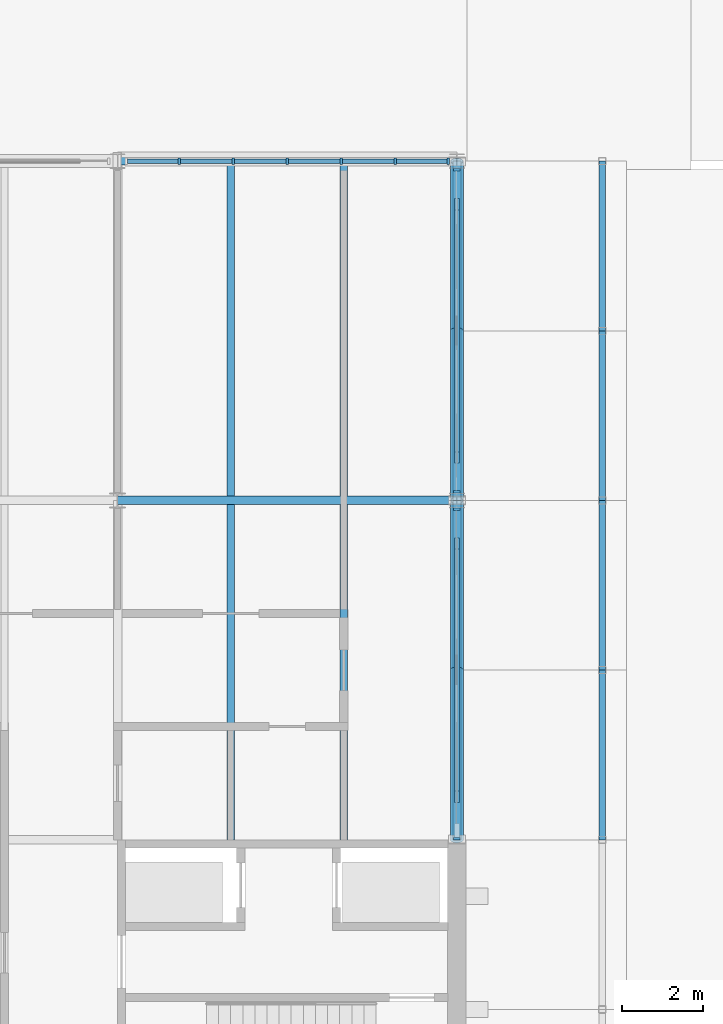
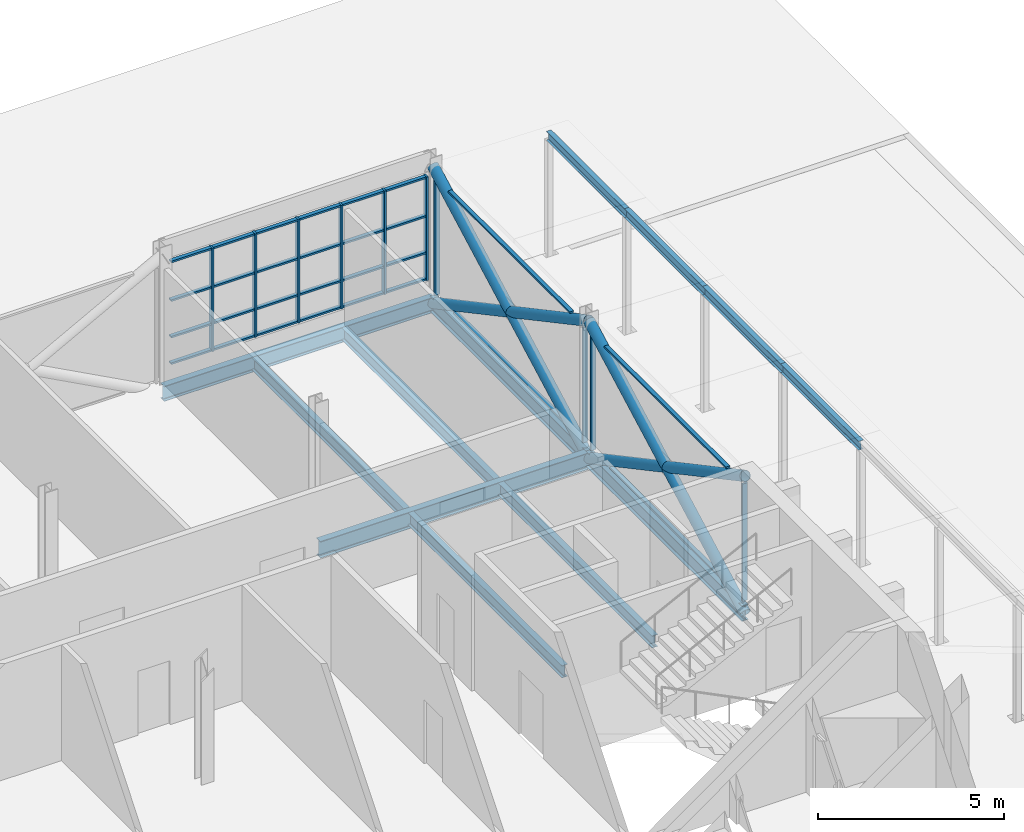
# One storey, part 66 of 116: 44 members, 12 beams, 3 elements without a shape of their own.
"""IFC4 building model written with IfcOpenShell, lengths in metres."""

from ifc_helpers import new_model, si_unit, direction, frame, origin, origin_2d, place, context, subcontext, project, spatial, rectangle, hollow_circle, i_section, extrude, material, layer, layer_set, material_profile, profile_set, type_object, element, aggregate, save


model = new_model("IFC4")

# Units and contexts
model_context = context("Model", 3, precision=1e-05, world=origin(), true_north=direction((0.0, 1.0)))
body_context = subcontext(model_context, "Body", "Model", "MODEL_VIEW")
ifc_project = project(units=[si_unit("LENGTHUNIT", "METRE"), si_unit("AREAUNIT", "SQUARE_METRE"), si_unit("VOLUMEUNIT", "CUBIC_METRE"), si_unit("PLANEANGLEUNIT", "RADIAN"), si_unit("MASSUNIT", "GRAM", prefix="KILO")], contexts=[model_context])

# Site, building, storey
site_placement = place(None, origin())
site = spatial("IfcSite", under=ifc_project, at=site_placement, CompositionType="ELEMENT")
building_placement = place(site_placement, origin())
building = spatial("IfcBuilding", under=site, at=building_placement, Name="Ardhachandra Cancer Care Centre", CompositionType="ELEMENT")
storey_placement = place(building_placement, origin())
storey = spatial("IfcBuildingStorey", under=building, at=storey_placement, Name="L00", CompositionType="ELEMENT", Elevation=0.0)

# Beams
ifc_material_1 = material(Name="Steel E350 (IS 2062)", Category="steel")
ifc_material_profile_1 = material_profile(ifc_material_1, i_section(OverallWidth=0.14990234375, OverallDepth=0.297119140625, WebThickness=0.006103515625, FlangeThickness=0.00927734375, FilletRadius=0.014892578125, at=origin_2d()), Name="NPB 300x150x36.52")
ifc_profile_set_1 = profile_set([ifc_material_profile_1], Name="Steel E350 (IS 2062)")
beam_type_1 = type_object("IfcBeamType", Name="Arcade beam NPB 300x150x36.52", PredefinedType="BEAM", material=ifc_profile_set_1)
beam_1_placement = place(storey_placement, frame((148.800048828125, 88.199951171875, 3.84521484375), z_axis=(0.0, 1.0, 0.0), x_axis=(-1.0, 0.0, 0.0)))
element("IfcBeam", 1, at=beam_1_placement, inside=storey, type_object=beam_type_1, Name="Arcade beam 15", PredefinedType="BEAM", context=body_context, shape_type="SweptSolid", body=[
    extrude(i_section(OverallWidth=0.14990234375, OverallDepth=0.297119140625, WebThickness=0.006103515625, FlangeThickness=0.00927734375, FilletRadius=0.014892578125, at=origin_2d()), origin(), (0.0, 0.0, 1.0), 4.199951171875),
])
beam_2_placement = place(storey_placement, frame((148.800048828125, 92.39990234375, 3.84521484375), z_axis=(0.0, 1.0, 0.0), x_axis=(-1.0, 0.0, 0.0)))
element("IfcBeam", 2, at=beam_2_placement, inside=storey, type_object=beam_type_1, Name="Arcade beam 16", PredefinedType="BEAM", context=body_context, shape_type="SweptSolid", body=[
    extrude(i_section(OverallWidth=0.14990234375, OverallDepth=0.297119140625, WebThickness=0.006103515625, FlangeThickness=0.00927734375, FilletRadius=0.014892578125, at=origin_2d()), origin(), (0.0, 0.0, 1.0), 4.2001953125),
])
for number, where, z_axis, x_axis, name in (
    (3, (148.800048828125, 96.60009765625, 3.84521484375), (0.0, 1.0, 0.0), (-1.0, 0.0, 0.0), "Arcade beam 17"),
    (4, (148.800048828125, 100.800048828125, 3.84521484375), (0.0, 1.0, 0.0), (-1.0, 0.0, 0.0), "Arcade beam 18"),
):
    element("IfcBeam", number, at=place(storey_placement, frame(where, z_axis=z_axis, x_axis=x_axis)), inside=storey, type_object=beam_type_1, Name=name, PredefinedType="BEAM", context=body_context, shape_type="SweptSolid", body=[
        extrude(i_section(OverallWidth=0.14990234375, OverallDepth=0.297119140625, WebThickness=0.006103515625, FlangeThickness=0.00927734375, FilletRadius=0.014892578125, at=origin_2d()), origin(), (0.0, 0.0, 1.0), 4.199951171875),
    ])
ifc_material_2 = material(Name="Steel E350 (IS 2062)", Category="steel")
ifc_material_profile_2 = material_profile(ifc_material_2, i_section(OverallWidth=0.179931640625, OverallDepth=0.39990234375, WebThickness=0.008544921875, FlangeThickness=0.013427734375, FilletRadius=0.02099609375, at=origin_2d()), Name="NPB 400x180x66.30")
ifc_profile_set_2 = profile_set([ifc_material_profile_2], Name="Steel E350 (IS 2062)")
beam_type_2 = type_object("IfcBeamType", Name="Beam NPB 400x180x66.30", PredefinedType="BEAM", material=ifc_profile_set_2)
beam_3_placement = place(storey_placement, frame((139.60009765625, 88.199951171875, -0.35009765625), z_axis=(0.0, 1.0, 0.0), x_axis=(-1.0, 0.0, 0.0)))
element("IfcBeam", 5, at=beam_3_placement, inside=storey, type_object=beam_type_2, Name="Secondary K16-L16@2800", PredefinedType="BEAM", context=body_context, shape_type="SweptSolid", body=[
    extrude(i_section(OverallWidth=0.179931640625, OverallDepth=0.39990234375, WebThickness=0.008544921875, FlangeThickness=0.013427734375, FilletRadius=0.02099609375, at=origin_2d()), origin(), (0.0, 0.0, 1.0), 8.295166015625),
])
beam_4_placement = place(storey_placement, frame((139.60009765625, 96.705078125, -0.35009765625), z_axis=(0.0, 1.0, 0.0), x_axis=(-1.0, 0.0, 0.0)))
element("IfcBeam", 6, at=beam_4_placement, inside=storey, type_object=beam_type_2, Name="Secondary L16-M16@2800", PredefinedType="BEAM", context=body_context, shape_type="SweptSolid", body=[
    extrude(i_section(OverallWidth=0.179931640625, OverallDepth=0.39990234375, WebThickness=0.008544921875, FlangeThickness=0.013427734375, FilletRadius=0.02099609375, at=origin_2d()), origin(), (0.0, 0.0, 1.0), 8.19482421875),
])
beam_5_placement = place(storey_placement, frame((142.39990234375, 88.199951171875, -0.35009765625), z_axis=(0.0, 1.0, 0.0), x_axis=(-1.0, 0.0, 0.0)))
element("IfcBeam", 7, at=beam_5_placement, inside=storey, type_object=beam_type_2, Name="Secondary K16-L16@5600", PredefinedType="BEAM", context=body_context, shape_type="SweptSolid", body=[
    extrude(i_section(OverallWidth=0.179931640625, OverallDepth=0.39990234375, WebThickness=0.008544921875, FlangeThickness=0.013427734375, FilletRadius=0.02099609375, at=origin_2d()), origin(), (0.0, 0.0, 1.0), 8.295166015625),
])
beam_6_placement = place(storey_placement, frame((142.39990234375, 96.705078125, -0.35009765625), z_axis=(0.0, 1.0, 0.0), x_axis=(-1.0, 0.0, 0.0)))
element("IfcBeam", 8, at=beam_6_placement, inside=storey, type_object=beam_type_2, Name="Secondary L16-M16@5600", PredefinedType="BEAM", context=body_context, shape_type="SweptSolid", body=[
    extrude(i_section(OverallWidth=0.179931640625, OverallDepth=0.39990234375, WebThickness=0.008544921875, FlangeThickness=0.013427734375, FilletRadius=0.02099609375, at=origin_2d()), origin(), (0.0, 0.0, 1.0), 8.19482421875),
])
ifc_material_3 = material(Name="Steel E350 (IS 2062)", Category="steel")
ifc_material_profile_3 = material_profile(ifc_material_3, i_section(OverallWidth=0.199951171875, OverallDepth=0.5, WebThickness=0.01025390625, FlangeThickness=0.01611328125, FilletRadius=0.02099609375, at=origin_2d()), Name="NPB 500x200x90.68")
ifc_profile_set_3 = profile_set([ifc_material_profile_3], Name="Steel E350 (IS 2062)")
beam_type_3 = type_object("IfcBeamType", Name="Beam NPB 500x200x90.68", PredefinedType="BEAM", material=ifc_profile_set_3)
beam_7_placement = place(storey_placement, frame((136.800048828125, 105.0, -0.39990234375), z_axis=(1.0, 0.0, 0.0), x_axis=(0.0, 1.0, 0.0)))
element("IfcBeam", 9, at=beam_7_placement, inside=storey, type_object=beam_type_3, Name="Edge girder M16-M17", PredefinedType="BEAM", context=body_context, shape_type="SweptSolid", body=[
    extrude(i_section(OverallWidth=0.199951171875, OverallDepth=0.5, WebThickness=0.01025390625, FlangeThickness=0.01611328125, FilletRadius=0.02099609375, at=origin_2d()), origin(), (0.0, 0.0, 1.0), 8.39990234375),
])
beam_8_placement = place(storey_placement, frame((145.199951171875, 88.199951171875, -0.39990234375), z_axis=(0.0, 1.0, 0.0), x_axis=(-1.0, 0.0, 0.0)))
element("IfcBeam", 10, at=beam_8_placement, inside=storey, type_object=beam_type_3, Name="Edge girder K17-L17", PredefinedType="BEAM", context=body_context, shape_type="SweptSolid", body=[
    extrude(i_section(OverallWidth=0.199951171875, OverallDepth=0.5, WebThickness=0.01025390625, FlangeThickness=0.01611328125, FilletRadius=0.02099609375, at=origin_2d()), origin(), (0.0, 0.0, 1.0), 8.400146484375),
])
beam_9_placement = place(storey_placement, frame((145.199951171875, 96.60009765625, -0.39990234375), z_axis=(0.0, 1.0, 0.0), x_axis=(-1.0, 0.0, 0.0)))
element("IfcBeam", 11, at=beam_9_placement, inside=storey, type_object=beam_type_3, Name="Edge girder L17-M17", PredefinedType="BEAM", context=body_context, shape_type="SweptSolid", body=[
    extrude(i_section(OverallWidth=0.199951171875, OverallDepth=0.5, WebThickness=0.01025390625, FlangeThickness=0.01611328125, FilletRadius=0.02099609375, at=origin_2d()), origin(), (0.0, 0.0, 1.0), 8.39990234375),
])
ifc_material_4 = material(Name="Steel E350 (IS 2062)", Category="steel")
ifc_material_profile_4 = material_profile(ifc_material_4, i_section(OverallWidth=0.2099609375, OverallDepth=0.550048828125, WebThickness=0.010986328125, FlangeThickness=0.01708984375, FilletRadius=0.02392578125, at=origin_2d()), Name="NPB 550x210x105.52")
ifc_profile_set_4 = profile_set([ifc_material_profile_4], Name="Steel E350 (IS 2062)")
beam_type_4 = type_object("IfcBeamType", Name="Beam NPB 550x210x105.52", PredefinedType="BEAM", material=ifc_profile_set_4)
beam_10_placement = place(storey_placement, frame((136.800048828125, 96.60009765625, -0.425048828125), z_axis=(1.0, 0.0, 0.0), x_axis=(0.0, 1.0, 0.0)))
element("IfcBeam", 12, at=beam_10_placement, inside=storey, type_object=beam_type_4, Name="Girder L16-L17", PredefinedType="BEAM", context=body_context, shape_type="SweptSolid", body=[
    extrude(i_section(OverallWidth=0.2099609375, OverallDepth=0.550048828125, WebThickness=0.010986328125, FlangeThickness=0.01708984375, FilletRadius=0.02392578125, at=origin_2d()), origin(), (0.0, 0.0, 1.0), 8.39990234375),
])

# Members
ifc_material_5 = material(Name="Steel E350 (IS 2062)", Category="steel")
ifc_material_profile_5 = material_profile(ifc_material_5, hollow_circle(Radius=0.161865234375, WallThickness=0.012451171875, at=origin_2d()), Name="CHS 323.9x12.5")
ifc_profile_set_5 = profile_set([ifc_material_profile_5], Name="Steel E350 (IS 2062)")
member_type_1 = type_object("IfcMemberType", Name="Brace CHS 323.9x12.5", PredefinedType="BRACE", material=ifc_profile_set_5)
member_1_placement = place(storey_placement, frame((145.199951171875, 88.199951171875, -0.39990234375), z_axis=(0.0, 0.881483397762, 0.472215014025), x_axis=(-1.0, 0.0, 0.0)))
element("IfcMember", 13, at=member_1_placement, inside=storey, type_object=member_type_1, Name="Brace V5-Y1452-882 L00 A", PredefinedType="BRACE", context=body_context, shape_type="SweptSolid", body=[
    extrude(hollow_circle(Radius=0.161865234375, WallThickness=0.012451171875, at=origin_2d()), origin(), (0.0, 0.0, 1.0), 9.529541015625),
])
member_2_placement = place(storey_placement, frame((145.199951171875, 96.60009765625, -0.39990234375), z_axis=(0.0, -0.881489110341, 0.472204350203), x_axis=(1.0, 0.0, 0.0)))
element("IfcMember", 14, at=member_2_placement, inside=storey, type_object=member_type_1, Name="Brace V5-Y1452-882 L00 B1", PredefinedType="BRACE", context=body_context, shape_type="SweptSolid", body=[
    extrude(hollow_circle(Radius=0.161865234375, WallThickness=0.012451171875, at=origin_2d()), origin(), (0.0, 0.0, 1.0), 4.764892578125),
])
member_3_placement = place(storey_placement, frame((145.199951171875, 92.39990234375, 1.85009765625), z_axis=(0.0, -0.881477684796, 0.472225678258), x_axis=(1.0, 0.0, 0.0)))
element("IfcMember", 15, at=member_3_placement, inside=storey, type_object=member_type_1, Name="Brace V5-Y1452-882 L00 B2", PredefinedType="BRACE", context=body_context, shape_type="SweptSolid", body=[
    extrude(hollow_circle(Radius=0.161865234375, WallThickness=0.012451171875, at=origin_2d()), origin(), (0.0, 0.0, 1.0), 4.7646484375),
])
member_4_placement = place(storey_placement, frame((145.199951171875, 96.60009765625, -0.39990234375), z_axis=(0.0, 0.881477684796, 0.472225678258), x_axis=(-1.0, 0.0, 0.0)))
element("IfcMember", 16, at=member_4_placement, inside=storey, type_object=member_type_1, Name="Brace V5-Y1452-966 L00 A", PredefinedType="BRACE", context=body_context, shape_type="SweptSolid", body=[
    extrude(hollow_circle(Radius=0.161865234375, WallThickness=0.012451171875, at=origin_2d()), origin(), (0.0, 0.0, 1.0), 9.529296875),
])
for number, where, z_axis, x_axis, name in (
    (17, (145.199951171875, 105.0, -0.39990234375), (0.0, -0.881477684796, 0.472225678258), (1.0, 0.0, 0.0), "Brace V5-Y1452-966 L00 B1"),
    (18, (145.199951171875, 100.800048828125, 1.85009765625), (0.0, -0.881477684796, 0.472225678258), (1.0, 0.0, 0.0), "Brace V5-Y1452-966 L00 B2"),
):
    element("IfcMember", number, at=place(storey_placement, frame(where, z_axis=z_axis, x_axis=x_axis)), inside=storey, type_object=member_type_1, Name=name, PredefinedType="BRACE", context=body_context, shape_type="SweptSolid", body=[
        extrude(hollow_circle(Radius=0.161865234375, WallThickness=0.012451171875, at=origin_2d()), origin(), (0.0, 0.0, 1.0), 4.7646484375),
    ])

# Curtain wall, members
ifc_material_6 = material(Name="Aluminium extrusion", Category="aluminium")
ifc_layer = layer(ifc_material_6, 0.14990234375)
ifc_layer_set = layer_set([ifc_layer], Name="Aluminium extrusion")
curtain_wall_type = type_object("IfcCurtainWallType", Name="Curtain wall run", PredefinedType="NOTDEFINED", material=ifc_layer_set)
curtain_wall_1_placement = place(storey_placement, origin())
curtain_wall_1 = element("IfcCurtainWall", 19, at=curtain_wall_1_placement, inside=storey, type_object=curtain_wall_type, Name="Curtain wall L00 e/0145200_0088200", PredefinedType="NOTDEFINED")
ifc_material_7 = material(Name="Aluminium extrusion", Category="aluminium")
ifc_material_profile_6 = material_profile(ifc_material_7, rectangle(XDim=0.159912109375, YDim=0.06005859375, at=origin_2d()), Name="Curtain wall mullion 60 x 160")
ifc_profile_set_6 = profile_set([ifc_material_profile_6], Name="Aluminium extrusion")
member_type_2 = type_object("IfcMemberType", Name="Curtain wall mullion 60 x 160", PredefinedType="MULLION", material=ifc_profile_set_6)
member_5_placement = place(storey_placement, frame((145.199951171875, 88.22998046875, 0.0), z_axis=(0.0, 0.0, 1.0), x_axis=(-1.0, 0.0, 0.0)))
member_5 = element("IfcMember", 20, at=member_5_placement, type_object=member_type_2, Name="CW mullion 1", PredefinedType="MULLION", context=body_context, shape_type="SweptSolid", body=[
    extrude(rectangle(XDim=0.159912109375, YDim=0.06005859375, at=origin_2d()), origin(), (0.0, 0.0, 1.0), 3.85009765625),
])
member_6_placement = place(storey_placement, frame((145.199951171875, 96.387939453125, 0.0), z_axis=(0.0, 0.0, 1.0), x_axis=(-1.0, 0.0, 0.0)))
member_6 = element("IfcMember", 21, at=member_6_placement, type_object=member_type_2, Name="CW mullion 2", PredefinedType="MULLION", context=body_context, shape_type="SweptSolid", body=[
    extrude(rectangle(XDim=0.159912109375, YDim=0.06005859375, at=origin_2d()), origin(), (0.0, 0.0, 1.0), 3.78466796875),
])

curtain_wall_2_placement = place(storey_placement, origin())
curtain_wall_2 = element("IfcCurtainWall", 22, at=curtain_wall_2_placement, inside=storey, type_object=curtain_wall_type, Name="Curtain wall L00 e/0145200_0096600", PredefinedType="NOTDEFINED")
member_7_placement = place(storey_placement, frame((145.199951171875, 96.81201171875, 0.0), z_axis=(0.0, 0.0, 1.0), x_axis=(-1.0, 0.0, 0.0)))
member_7 = element("IfcMember", 23, at=member_7_placement, type_object=member_type_2, Name="CW mullion 1", PredefinedType="MULLION", context=body_context, shape_type="SweptSolid", body=[
    extrude(rectangle(XDim=0.159912109375, YDim=0.06005859375, at=origin_2d()), origin(), (0.0, 0.0, 1.0), 3.78466796875),
])
member_8_placement = place(storey_placement, frame((145.199951171875, 104.7880859375, 0.0), z_axis=(0.0, 0.0, 1.0), x_axis=(-1.0, 0.0, 0.0)))
member_8 = element("IfcMember", 24, at=member_8_placement, type_object=member_type_2, Name="CW mullion 2", PredefinedType="MULLION", context=body_context, shape_type="SweptSolid", body=[
    extrude(rectangle(XDim=0.159912109375, YDim=0.06005859375, at=origin_2d()), origin(), (0.0, 0.0, 1.0), 3.78466796875),
])

curtain_wall_3_placement = place(storey_placement, origin())
curtain_wall_3 = element("IfcCurtainWall", 25, at=curtain_wall_3_placement, inside=storey, type_object=curtain_wall_type, Name="Curtain wall L00 n/0136800_0105000", PredefinedType="NOTDEFINED")
member_9_placement = place(storey_placement, frame((138.32373046875, 105.0, 0.449951171875), z_axis=(0.0, 0.0, 1.0), x_axis=(0.0, 1.0, 0.0)))
member_9 = element("IfcMember", 26, at=member_9_placement, type_object=member_type_2, Name="CW mullion 2", PredefinedType="MULLION", context=body_context, shape_type="SweptSolid", body=[
    extrude(rectangle(XDim=0.159912109375, YDim=0.06005859375, at=origin_2d()), origin(), (0.0, 0.0, 1.0), 3.400146484375),
])
member_10_placement = place(storey_placement, frame((139.661865234375, 105.0, 0.449951171875), z_axis=(0.0, 0.0, 1.0), x_axis=(0.0, 1.0, 0.0)))
member_10 = element("IfcMember", 27, at=member_10_placement, type_object=member_type_2, Name="CW mullion 3", PredefinedType="MULLION", context=body_context, shape_type="SweptSolid", body=[
    extrude(rectangle(XDim=0.159912109375, YDim=0.06005859375, at=origin_2d()), origin(), (0.0, 0.0, 1.0), 3.400146484375),
])
member_11_placement = place(storey_placement, frame((141.0, 105.0, 0.449951171875), z_axis=(0.0, 0.0, 1.0), x_axis=(0.0, 1.0, 0.0)))
member_11 = element("IfcMember", 28, at=member_11_placement, type_object=member_type_2, Name="CW mullion 4", PredefinedType="MULLION", context=body_context, shape_type="SweptSolid", body=[
    extrude(rectangle(XDim=0.159912109375, YDim=0.06005859375, at=origin_2d()), origin(), (0.0, 0.0, 1.0), 3.400146484375),
])
member_12_placement = place(storey_placement, frame((142.338134765625, 105.0, 0.449951171875), z_axis=(0.0, 0.0, 1.0), x_axis=(0.0, 1.0, 0.0)))
member_12 = element("IfcMember", 29, at=member_12_placement, type_object=member_type_2, Name="CW mullion 5", PredefinedType="MULLION", context=body_context, shape_type="SweptSolid", body=[
    extrude(rectangle(XDim=0.159912109375, YDim=0.06005859375, at=origin_2d()), origin(), (0.0, 0.0, 1.0), 3.400146484375),
])
member_13_placement = place(storey_placement, frame((143.67626953125, 105.0, 0.449951171875), z_axis=(0.0, 0.0, 1.0), x_axis=(0.0, 1.0, 0.0)))
member_13 = element("IfcMember", 30, at=member_13_placement, type_object=member_type_2, Name="CW mullion 6", PredefinedType="MULLION", context=body_context, shape_type="SweptSolid", body=[
    extrude(rectangle(XDim=0.159912109375, YDim=0.06005859375, at=origin_2d()), origin(), (0.0, 0.0, 1.0), 3.400146484375),
])
member_14_placement = place(storey_placement, frame((144.984619140625, 105.0, 0.449951171875), z_axis=(0.0, 0.0, 1.0), x_axis=(0.0, 1.0, 0.0)))
member_14 = element("IfcMember", 31, at=member_14_placement, type_object=member_type_2, Name="CW mullion 7", PredefinedType="MULLION", context=body_context, shape_type="SweptSolid", body=[
    extrude(rectangle(XDim=0.159912109375, YDim=0.06005859375, at=origin_2d()), origin(), (0.0, 0.0, 1.0), 3.400146484375),
])

# Member
ifc_material_8 = material(Name="Aluminium extrusion", Category="aluminium")
ifc_material_profile_7 = material_profile(ifc_material_8, rectangle(XDim=0.1201171875, YDim=0.06005859375, at=origin_2d()), Name="Curtain wall transom 60 x 120")
ifc_profile_set_7 = profile_set([ifc_material_profile_7], Name="Aluminium extrusion")
member_type_3 = type_object("IfcMemberType", Name="Curtain wall transom 60 x 120", PredefinedType="USERDEFINED", material=ifc_profile_set_7)
member_15_placement = place(storey_placement, frame((145.199951171875, 89.40478515625, 0.030029296875), z_axis=(0.0, 1.0, 0.0), x_axis=(-1.0, 0.0, 0.0)))
member_15 = element("IfcMember", 32, at=member_15_placement, type_object=member_type_3, Name="CW transom 1.1", ObjectType="TRANSOM", PredefinedType="USERDEFINED", context=body_context, shape_type="SweptSolid", body=[
    extrude(rectangle(XDim=0.1201171875, YDim=0.06005859375, at=origin_2d()), origin(), (0.0, 0.0, 1.0), 5.991455078125),
])

member_16_placement = place(storey_placement, frame((145.199951171875, 89.123779296875, 3.820068359375), z_axis=(0.0, 1.0, 0.0), x_axis=(-1.0, 0.0, 0.0)))
member_16 = element("IfcMember", 33, at=member_16_placement, type_object=member_type_3, Name="CW transom 1.2", ObjectType="TRANSOM", PredefinedType="USERDEFINED", context=body_context, shape_type="SweptSolid", body=[
    extrude(rectangle(XDim=0.1201171875, YDim=0.06005859375, at=origin_2d()), origin(), (0.0, 0.0, 1.0), 6.552490234375),
])

aggregate(curtain_wall_1, [member_5, member_6, member_15, member_16])

member_17_placement = place(storey_placement, frame((145.199951171875, 97.8046875, 0.030029296875), z_axis=(0.0, 1.0, 0.0), x_axis=(-1.0, 0.0, 0.0)))
member_17 = element("IfcMember", 34, at=member_17_placement, type_object=member_type_3, Name="CW transom 1.1", ObjectType="TRANSOM", PredefinedType="USERDEFINED", context=body_context, shape_type="SweptSolid", body=[
    extrude(rectangle(XDim=0.1201171875, YDim=0.06005859375, at=origin_2d()), origin(), (0.0, 0.0, 1.0), 5.991455078125),
])

member_18_placement = place(storey_placement, frame((145.199951171875, 97.523681640625, 3.820068359375), z_axis=(0.0, 1.0, 0.0), x_axis=(-1.0, 0.0, 0.0)))
member_18 = element("IfcMember", 35, at=member_18_placement, type_object=member_type_3, Name="CW transom 1.2", ObjectType="TRANSOM", PredefinedType="USERDEFINED", context=body_context, shape_type="SweptSolid", body=[
    extrude(rectangle(XDim=0.1201171875, YDim=0.06005859375, at=origin_2d()), origin(), (0.0, 0.0, 1.0), 6.552490234375),
])

aggregate(curtain_wall_2, [member_7, member_8, member_17, member_18])

member_19_placement = place(storey_placement, frame((137.04541015625, 105.0, 0.47998046875), z_axis=(1.0, 0.0, 0.0), x_axis=(0.0, 1.0, 0.0)))
member_19 = element("IfcMember", 36, at=member_19_placement, type_object=member_type_3, Name="CW transom 1.1", ObjectType="TRANSOM", PredefinedType="USERDEFINED", context=body_context, shape_type="SweptSolid", body=[
    extrude(rectangle(XDim=0.1201171875, YDim=0.06005859375, at=origin_2d()), origin(), (0.0, 0.0, 1.0), 1.248291015625),
])

member_20_placement = place(storey_placement, frame((137.04541015625, 105.0, 1.35009765625), z_axis=(1.0, 0.0, 0.0), x_axis=(0.0, 1.0, 0.0)))
member_20 = element("IfcMember", 37, at=member_20_placement, type_object=member_type_3, Name="CW transom 1.2", ObjectType="TRANSOM", PredefinedType="USERDEFINED", context=body_context, shape_type="SweptSolid", body=[
    extrude(rectangle(XDim=0.1201171875, YDim=0.06005859375, at=origin_2d()), origin(), (0.0, 0.0, 1.0), 1.248291015625),
])

member_21_placement = place(storey_placement, frame((137.04541015625, 105.0, 2.550048828125), z_axis=(1.0, 0.0, 0.0), x_axis=(0.0, 1.0, 0.0)))
member_21 = element("IfcMember", 38, at=member_21_placement, type_object=member_type_3, Name="CW transom 1.3", ObjectType="TRANSOM", PredefinedType="USERDEFINED", context=body_context, shape_type="SweptSolid", body=[
    extrude(rectangle(XDim=0.1201171875, YDim=0.06005859375, at=origin_2d()), origin(), (0.0, 0.0, 1.0), 1.248291015625),
])

member_22_placement = place(storey_placement, frame((137.04541015625, 105.0, 3.820068359375), z_axis=(1.0, 0.0, 0.0), x_axis=(0.0, 1.0, 0.0)))
member_22 = element("IfcMember", 39, at=member_22_placement, type_object=member_type_3, Name="CW transom 1.4", ObjectType="TRANSOM", PredefinedType="USERDEFINED", context=body_context, shape_type="SweptSolid", body=[
    extrude(rectangle(XDim=0.1201171875, YDim=0.06005859375, at=origin_2d()), origin(), (0.0, 0.0, 1.0), 1.248291015625),
])

member_23_placement = place(storey_placement, frame((138.353759765625, 105.0, 0.47998046875), z_axis=(1.0, 0.0, 0.0), x_axis=(0.0, 1.0, 0.0)))
member_23 = element("IfcMember", 40, at=member_23_placement, type_object=member_type_3, Name="CW transom 2.1", ObjectType="TRANSOM", PredefinedType="USERDEFINED", context=body_context, shape_type="SweptSolid", body=[
    extrude(rectangle(XDim=0.1201171875, YDim=0.06005859375, at=origin_2d()), origin(), (0.0, 0.0, 1.0), 1.278076171875),
])

member_24_placement = place(storey_placement, frame((138.353759765625, 105.0, 1.35009765625), z_axis=(1.0, 0.0, 0.0), x_axis=(0.0, 1.0, 0.0)))
member_24 = element("IfcMember", 41, at=member_24_placement, type_object=member_type_3, Name="CW transom 2.2", ObjectType="TRANSOM", PredefinedType="USERDEFINED", context=body_context, shape_type="SweptSolid", body=[
    extrude(rectangle(XDim=0.1201171875, YDim=0.06005859375, at=origin_2d()), origin(), (0.0, 0.0, 1.0), 1.278076171875),
])

member_25_placement = place(storey_placement, frame((138.353759765625, 105.0, 2.550048828125), z_axis=(1.0, 0.0, 0.0), x_axis=(0.0, 1.0, 0.0)))
member_25 = element("IfcMember", 42, at=member_25_placement, type_object=member_type_3, Name="CW transom 2.3", ObjectType="TRANSOM", PredefinedType="USERDEFINED", context=body_context, shape_type="SweptSolid", body=[
    extrude(rectangle(XDim=0.1201171875, YDim=0.06005859375, at=origin_2d()), origin(), (0.0, 0.0, 1.0), 1.278076171875),
])

member_26_placement = place(storey_placement, frame((138.353759765625, 105.0, 3.820068359375), z_axis=(1.0, 0.0, 0.0), x_axis=(0.0, 1.0, 0.0)))
member_26 = element("IfcMember", 43, at=member_26_placement, type_object=member_type_3, Name="CW transom 2.4", ObjectType="TRANSOM", PredefinedType="USERDEFINED", context=body_context, shape_type="SweptSolid", body=[
    extrude(rectangle(XDim=0.1201171875, YDim=0.06005859375, at=origin_2d()), origin(), (0.0, 0.0, 1.0), 1.278076171875),
])

member_27_placement = place(storey_placement, frame((139.69189453125, 105.0, 0.47998046875), z_axis=(1.0, 0.0, 0.0), x_axis=(0.0, 1.0, 0.0)))
member_27 = element("IfcMember", 44, at=member_27_placement, type_object=member_type_3, Name="CW transom 3.1", ObjectType="TRANSOM", PredefinedType="USERDEFINED", context=body_context, shape_type="SweptSolid", body=[
    extrude(rectangle(XDim=0.1201171875, YDim=0.06005859375, at=origin_2d()), origin(), (0.0, 0.0, 1.0), 1.278076171875),
])

member_28_placement = place(storey_placement, frame((139.69189453125, 105.0, 1.35009765625), z_axis=(1.0, 0.0, 0.0), x_axis=(0.0, 1.0, 0.0)))
member_28 = element("IfcMember", 45, at=member_28_placement, type_object=member_type_3, Name="CW transom 3.2", ObjectType="TRANSOM", PredefinedType="USERDEFINED", context=body_context, shape_type="SweptSolid", body=[
    extrude(rectangle(XDim=0.1201171875, YDim=0.06005859375, at=origin_2d()), origin(), (0.0, 0.0, 1.0), 1.278076171875),
])

member_29_placement = place(storey_placement, frame((139.69189453125, 105.0, 2.550048828125), z_axis=(1.0, 0.0, 0.0), x_axis=(0.0, 1.0, 0.0)))
member_29 = element("IfcMember", 46, at=member_29_placement, type_object=member_type_3, Name="CW transom 3.3", ObjectType="TRANSOM", PredefinedType="USERDEFINED", context=body_context, shape_type="SweptSolid", body=[
    extrude(rectangle(XDim=0.1201171875, YDim=0.06005859375, at=origin_2d()), origin(), (0.0, 0.0, 1.0), 1.278076171875),
])

member_30_placement = place(storey_placement, frame((139.69189453125, 105.0, 3.820068359375), z_axis=(1.0, 0.0, 0.0), x_axis=(0.0, 1.0, 0.0)))
member_30 = element("IfcMember", 47, at=member_30_placement, type_object=member_type_3, Name="CW transom 3.4", ObjectType="TRANSOM", PredefinedType="USERDEFINED", context=body_context, shape_type="SweptSolid", body=[
    extrude(rectangle(XDim=0.1201171875, YDim=0.06005859375, at=origin_2d()), origin(), (0.0, 0.0, 1.0), 1.278076171875),
])

member_31_placement = place(storey_placement, frame((141.030029296875, 105.0, 0.47998046875), z_axis=(1.0, 0.0, 0.0), x_axis=(0.0, 1.0, 0.0)))
member_31 = element("IfcMember", 48, at=member_31_placement, type_object=member_type_3, Name="CW transom 4.1", ObjectType="TRANSOM", PredefinedType="USERDEFINED", context=body_context, shape_type="SweptSolid", body=[
    extrude(rectangle(XDim=0.1201171875, YDim=0.06005859375, at=origin_2d()), origin(), (0.0, 0.0, 1.0), 1.278076171875),
])

member_32_placement = place(storey_placement, frame((141.030029296875, 105.0, 1.35009765625), z_axis=(1.0, 0.0, 0.0), x_axis=(0.0, 1.0, 0.0)))
member_32 = element("IfcMember", 49, at=member_32_placement, type_object=member_type_3, Name="CW transom 4.2", ObjectType="TRANSOM", PredefinedType="USERDEFINED", context=body_context, shape_type="SweptSolid", body=[
    extrude(rectangle(XDim=0.1201171875, YDim=0.06005859375, at=origin_2d()), origin(), (0.0, 0.0, 1.0), 1.278076171875),
])

member_33_placement = place(storey_placement, frame((141.030029296875, 105.0, 2.550048828125), z_axis=(1.0, 0.0, 0.0), x_axis=(0.0, 1.0, 0.0)))
member_33 = element("IfcMember", 50, at=member_33_placement, type_object=member_type_3, Name="CW transom 4.3", ObjectType="TRANSOM", PredefinedType="USERDEFINED", context=body_context, shape_type="SweptSolid", body=[
    extrude(rectangle(XDim=0.1201171875, YDim=0.06005859375, at=origin_2d()), origin(), (0.0, 0.0, 1.0), 1.278076171875),
])

member_34_placement = place(storey_placement, frame((141.030029296875, 105.0, 3.820068359375), z_axis=(1.0, 0.0, 0.0), x_axis=(0.0, 1.0, 0.0)))
member_34 = element("IfcMember", 51, at=member_34_placement, type_object=member_type_3, Name="CW transom 4.4", ObjectType="TRANSOM", PredefinedType="USERDEFINED", context=body_context, shape_type="SweptSolid", body=[
    extrude(rectangle(XDim=0.1201171875, YDim=0.06005859375, at=origin_2d()), origin(), (0.0, 0.0, 1.0), 1.278076171875),
])

member_35_placement = place(storey_placement, frame((142.3681640625, 105.0, 0.47998046875), z_axis=(1.0, 0.0, 0.0), x_axis=(0.0, 1.0, 0.0)))
member_35 = element("IfcMember", 52, at=member_35_placement, type_object=member_type_3, Name="CW transom 5.1", ObjectType="TRANSOM", PredefinedType="USERDEFINED", context=body_context, shape_type="SweptSolid", body=[
    extrude(rectangle(XDim=0.1201171875, YDim=0.06005859375, at=origin_2d()), origin(), (0.0, 0.0, 1.0), 1.278076171875),
])

member_36_placement = place(storey_placement, frame((142.3681640625, 105.0, 1.35009765625), z_axis=(1.0, 0.0, 0.0), x_axis=(0.0, 1.0, 0.0)))
member_36 = element("IfcMember", 53, at=member_36_placement, type_object=member_type_3, Name="CW transom 5.2", ObjectType="TRANSOM", PredefinedType="USERDEFINED", context=body_context, shape_type="SweptSolid", body=[
    extrude(rectangle(XDim=0.1201171875, YDim=0.06005859375, at=origin_2d()), origin(), (0.0, 0.0, 1.0), 1.278076171875),
])

member_37_placement = place(storey_placement, frame((142.3681640625, 105.0, 2.550048828125), z_axis=(1.0, 0.0, 0.0), x_axis=(0.0, 1.0, 0.0)))
member_37 = element("IfcMember", 54, at=member_37_placement, type_object=member_type_3, Name="CW transom 5.3", ObjectType="TRANSOM", PredefinedType="USERDEFINED", context=body_context, shape_type="SweptSolid", body=[
    extrude(rectangle(XDim=0.1201171875, YDim=0.06005859375, at=origin_2d()), origin(), (0.0, 0.0, 1.0), 1.278076171875),
])

member_38_placement = place(storey_placement, frame((142.3681640625, 105.0, 3.820068359375), z_axis=(1.0, 0.0, 0.0), x_axis=(0.0, 1.0, 0.0)))
member_38 = element("IfcMember", 55, at=member_38_placement, type_object=member_type_3, Name="CW transom 5.4", ObjectType="TRANSOM", PredefinedType="USERDEFINED", context=body_context, shape_type="SweptSolid", body=[
    extrude(rectangle(XDim=0.1201171875, YDim=0.06005859375, at=origin_2d()), origin(), (0.0, 0.0, 1.0), 1.278076171875),
])

member_39_placement = place(storey_placement, frame((143.706298828125, 105.0, 0.47998046875), z_axis=(1.0, 0.0, 0.0), x_axis=(0.0, 1.0, 0.0)))
member_39 = element("IfcMember", 56, at=member_39_placement, type_object=member_type_3, Name="CW transom 6.1", ObjectType="TRANSOM", PredefinedType="USERDEFINED", context=body_context, shape_type="SweptSolid", body=[
    extrude(rectangle(XDim=0.1201171875, YDim=0.06005859375, at=origin_2d()), origin(), (0.0, 0.0, 1.0), 1.248291015625),
])

member_40_placement = place(storey_placement, frame((143.706298828125, 105.0, 1.35009765625), z_axis=(1.0, 0.0, 0.0), x_axis=(0.0, 1.0, 0.0)))
member_40 = element("IfcMember", 57, at=member_40_placement, type_object=member_type_3, Name="CW transom 6.2", ObjectType="TRANSOM", PredefinedType="USERDEFINED", context=body_context, shape_type="SweptSolid", body=[
    extrude(rectangle(XDim=0.1201171875, YDim=0.06005859375, at=origin_2d()), origin(), (0.0, 0.0, 1.0), 1.248291015625),
])

member_41_placement = place(storey_placement, frame((143.706298828125, 105.0, 2.550048828125), z_axis=(1.0, 0.0, 0.0), x_axis=(0.0, 1.0, 0.0)))
member_41 = element("IfcMember", 58, at=member_41_placement, type_object=member_type_3, Name="CW transom 6.3", ObjectType="TRANSOM", PredefinedType="USERDEFINED", context=body_context, shape_type="SweptSolid", body=[
    extrude(rectangle(XDim=0.1201171875, YDim=0.06005859375, at=origin_2d()), origin(), (0.0, 0.0, 1.0), 1.248291015625),
])

member_42_placement = place(storey_placement, frame((143.706298828125, 105.0, 3.820068359375), z_axis=(1.0, 0.0, 0.0), x_axis=(0.0, 1.0, 0.0)))
member_42 = element("IfcMember", 59, at=member_42_placement, type_object=member_type_3, Name="CW transom 6.4", ObjectType="TRANSOM", PredefinedType="USERDEFINED", context=body_context, shape_type="SweptSolid", body=[
    extrude(rectangle(XDim=0.1201171875, YDim=0.06005859375, at=origin_2d()), origin(), (0.0, 0.0, 1.0), 1.248291015625),
])

aggregate(curtain_wall_3, [member_9, member_10, member_11, member_12, member_13, member_14, member_19, member_20, member_21, member_22, member_23, member_24, member_25, member_26, member_27, member_28, member_29, member_30, member_31, member_32, member_33, member_34, member_35, member_36, member_37, member_38, member_39, member_40, member_41, member_42])

save(model, "model.ifc")
